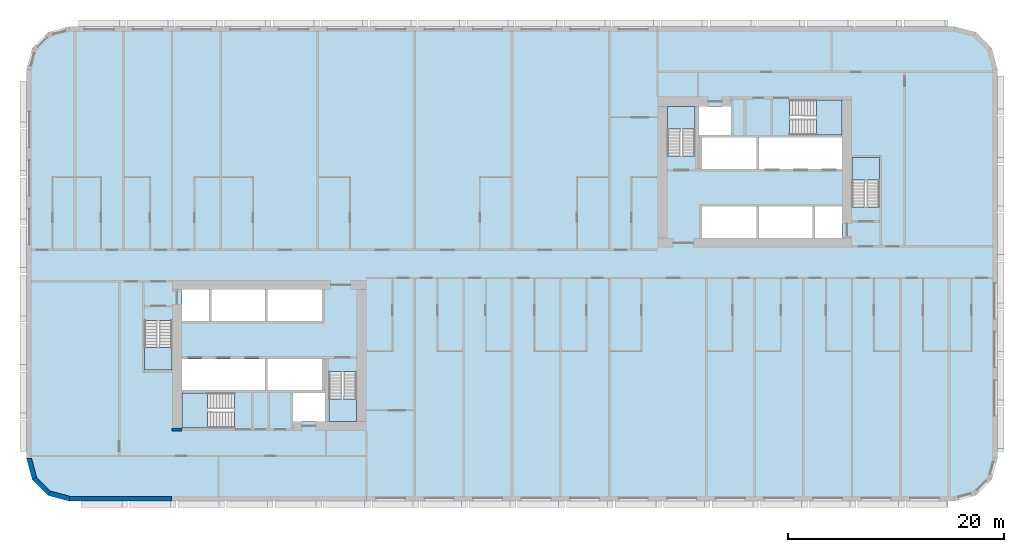
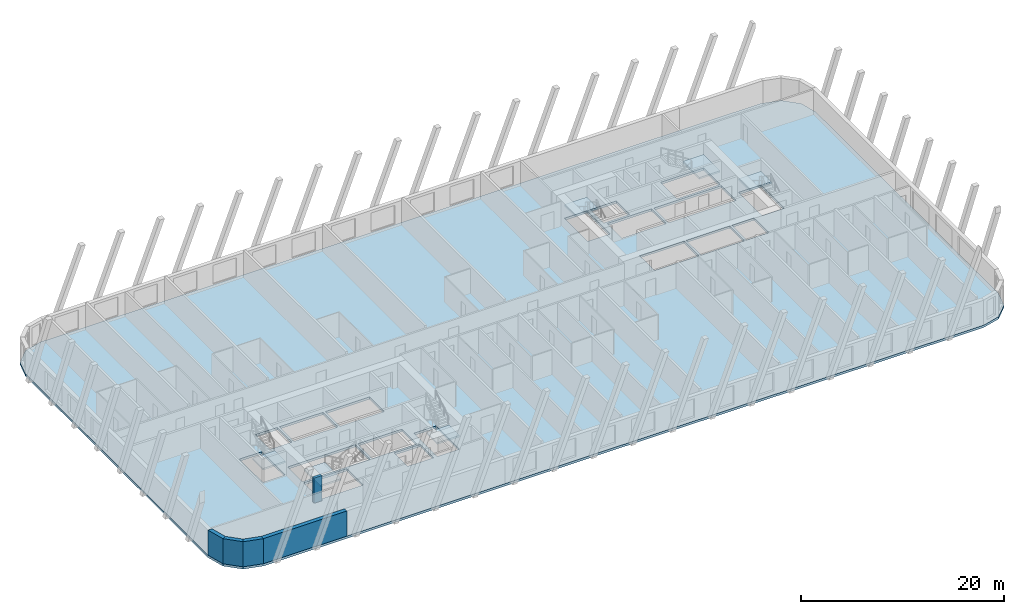
# One storey, part 1 of 13: 7 slabs, 5 walls, 6 elements without a shape of their own.
"""IFC4 building model written with IfcOpenShell, lengths in metres."""

from ifc_helpers import new_model, si_unit, direction, frame, frame_2d, origin, place, context, subcontext, project, spatial, polyline, rectangle, outline, extrude, material, layer, layer_set, type_object, element, aggregate, save


model = new_model("IFC4")

# Units and contexts
model_context = context("Model", 3, precision=1e-05, world=origin(), true_north=direction((0.0, 1.0)))
body_context = subcontext(model_context, "Body", "Model", "MODEL_VIEW")
ifc_project = project(units=[si_unit("LENGTHUNIT", "METRE"), si_unit("AREAUNIT", "SQUARE_METRE"), si_unit("VOLUMEUNIT", "CUBIC_METRE"), si_unit("PLANEANGLEUNIT", "RADIAN"), si_unit("MASSUNIT", "GRAM", prefix="KILO")], contexts=[model_context])

# Site, building, storey
site_placement = place(None, origin())
site = spatial("IfcSite", under=ifc_project, at=site_placement, CompositionType="ELEMENT")
building_placement = place(site_placement, origin())
building = spatial("IfcBuilding", under=site, at=building_placement, Name="Kajstack Hotel Tower", CompositionType="ELEMENT")
storey_placement = place(building_placement, frame((0.0, 0.0, 89.699951171875)))
storey = spatial("IfcBuildingStorey", under=building, at=storey_placement, Name="L18", CompositionType="ELEMENT", Elevation=89.699951171875)

# Slab
ifc_material_1 = material(Name="Concrete C40/50", Category="concrete")
ifc_layer_1 = layer(ifc_material_1, 0.280029296875)
ifc_layer_set_1 = layer_set([ifc_layer_1], Name="RC slab 280 C40/50 guest")
slab_type_1 = type_object("IfcSlabType", Name="RC slab 280 C40/50 guest", PredefinedType="FLOOR", material=ifc_layer_set_1)
slab_1_placement = place(storey_placement, frame((0.0, 0.0, -0.280029296875)))
element("IfcSlab", 1, at=slab_1_placement, inside=storey, type_object=slab_type_1, Name="S-slab-L18", PredefinedType="FLOOR", context=body_context, shape_type="SweptSolid", body=[
    extrude(outline(polyline([(-45.0, -18.0), (-44.464111328125, -20.0), (-43.0, -21.464111328125), (-41.0, -22.0), (41.0, -22.0), (43.0, -21.464111328125), (44.464111328125, -20.0), (45.0, -18.0), (45.0, 18.0), (44.464111328125, 20.0), (43.0, 21.464111328125), (41.0, 22.0), (-41.0, 22.0), (-43.0, 21.464111328125), (-44.464111328125, 20.0), (-45.0, 18.0), (-45.0, -18.0)]), holes=[polyline([(-30.60009765625, -11.699951171875), (-30.60009765625, -8.800048828125), (-22.89990234375, -8.800048828125), (-22.89990234375, -11.699951171875), (-30.60009765625, -11.699951171875)]), polyline([(-22.64990234375, -11.699951171875), (-22.64990234375, -8.800048828125), (-17.60009765625, -8.800048828125), (-17.60009765625, -11.699951171875), (-22.64990234375, -11.699951171875)]), polyline([(-27.85009765625, -5.300048828125), (-27.85009765625, -2.39990234375), (-22.89990234375, -2.39990234375), (-22.89990234375, -5.300048828125), (-27.85009765625, -5.300048828125)]), polyline([(-22.64990234375, -5.300048828125), (-22.64990234375, -2.39990234375), (-17.60009765625, -2.39990234375), (-17.60009765625, -5.300048828125), (-22.64990234375, -5.300048828125)]), polyline([(-20.300048828125, -14.60009765625), (-17.35009765625, -14.60009765625), (-17.35009765625, -11.949951171875), (-20.300048828125, -11.949951171875), (-20.300048828125, -14.60009765625)]), polyline([(-30.60009765625, -5.300048828125), (-28.10009765625, -5.300048828125), (-28.10009765625, -2.39990234375), (-30.60009765625, -2.39990234375), (-30.60009765625, -5.300048828125)]), polyline([(22.89990234375, 8.800048828125), (22.89990234375, 11.699951171875), (30.60009765625, 11.699951171875), (30.60009765625, 8.800048828125), (22.89990234375, 8.800048828125)]), polyline([(17.60009765625, 8.800048828125), (17.60009765625, 11.699951171875), (22.64990234375, 11.699951171875), (22.64990234375, 8.800048828125), (17.60009765625, 8.800048828125)]), polyline([(22.89990234375, 2.39990234375), (22.89990234375, 5.300048828125), (27.85009765625, 5.300048828125), (27.85009765625, 2.39990234375), (22.89990234375, 2.39990234375)]), polyline([(17.60009765625, 2.39990234375), (17.60009765625, 5.300048828125), (22.64990234375, 5.300048828125), (22.64990234375, 2.39990234375), (17.60009765625, 2.39990234375)]), polyline([(20.300048828125, 14.60009765625), (17.35009765625, 14.60009765625), (17.35009765625, 11.949951171875), (20.300048828125, 11.949951171875), (20.300048828125, 14.60009765625)]), polyline([(30.60009765625, 5.300048828125), (28.10009765625, 5.300048828125), (28.10009765625, 2.39990234375), (30.60009765625, 2.39990234375), (30.60009765625, 5.300048828125)]), polyline([(-34.050048828125, -9.85009765625), (-31.5, -9.85009765625), (-31.5, -5.25), (-34.050048828125, -5.25), (-34.050048828125, -9.85009765625)]), polyline([(-16.949951171875, -14.60009765625), (-14.39990234375, -14.60009765625), (-14.39990234375, -10.0), (-16.949951171875, -10.0), (-16.949951171875, -14.60009765625)]), polyline([(-30.60009765625, -15.199951171875), (-25.699951171875, -15.199951171875), (-25.699951171875, -11.949951171875), (-30.60009765625, -11.949951171875), (-30.60009765625, -15.199951171875)]), polyline([(34.050048828125, 9.85009765625), (31.5, 9.85009765625), (31.5, 5.25), (34.050048828125, 5.25), (34.050048828125, 9.85009765625)]), polyline([(16.949951171875, 14.60009765625), (14.39990234375, 14.60009765625), (14.39990234375, 10.0), (16.949951171875, 10.0), (16.949951171875, 14.60009765625)]), polyline([(30.60009765625, 15.199951171875), (25.699951171875, 15.199951171875), (25.699951171875, 11.949951171875), (30.60009765625, 11.949951171875), (30.60009765625, 15.199951171875)])]), origin(), (0.0, 0.0, 1.0), 0.280029296875),
])

# Stair, slab
stair_type_1 = type_object("IfcStairType", Name="Exit stair 1200", PredefinedType="HALF_TURN_STAIR", material=ifc_material_1)
stair_1_placement = place(storey_placement, origin())
stair_1 = element("IfcStair", 2, at=stair_1_placement, inside=storey, type_object=stair_type_1, Name="L18 stair W1", PredefinedType="HALF_TURN_STAIR")
ifc_layer_2 = layer(ifc_material_1, 0.199951171875)
ifc_layer_set_2 = layer_set([ifc_layer_2], Name="Stair landing 200")
slab_type_2 = type_object("IfcSlabType", Name="Stair landing 200", PredefinedType="LANDING", material=ifc_layer_set_2)
slab_2_placement = place(storey_placement, frame((0.0, 0.0, 1.449951171875)))
slab_2 = element("IfcSlab", 3, at=slab_2_placement, type_object=slab_type_2, Name="W1 landing 1", PredefinedType="LANDING", context=body_context, shape_type="SweptSolid", body=[
    extrude(outline(polyline([(-34.050048828125, -7.77001953125), (-34.050048828125, -9.85009765625), (-31.5, -9.85009765625), (-31.5, -7.77001953125), (-34.050048828125, -7.77001953125)])), origin(), (0.0, 0.0, 1.0), 0.2001953125),
])
aggregate(stair_1, [slab_2])

stair_2_placement = place(storey_placement, origin())
stair_2 = element("IfcStair", 4, at=stair_2_placement, inside=storey, type_object=stair_type_1, Name="L18 stair W2", PredefinedType="HALF_TURN_STAIR")
slab_3_placement = place(storey_placement, frame((0.0, 0.0, 1.449951171875)))
slab_3 = element("IfcSlab", 5, at=slab_3_placement, type_object=slab_type_2, Name="W2 landing 1", PredefinedType="LANDING", context=body_context, shape_type="SweptSolid", body=[
    extrude(outline(polyline([(-16.949951171875, -12.52001953125), (-16.949951171875, -14.60009765625), (-14.39990234375, -14.60009765625), (-14.39990234375, -12.52001953125), (-16.949951171875, -12.52001953125)])), origin(), (0.0, 0.0, 1.0), 0.2001953125),
])
aggregate(stair_2, [slab_3])

stair_type_2 = type_object("IfcStairType", Name="Exit stair 1500", PredefinedType="HALF_TURN_STAIR", material=ifc_material_1)
stair_3_placement = place(storey_placement, origin())
stair_3 = element("IfcStair", 6, at=stair_3_placement, inside=storey, type_object=stair_type_2, Name="L18 stair W3", PredefinedType="HALF_TURN_STAIR")
slab_4_placement = place(storey_placement, frame((0.0, 0.0, 1.449951171875)))
slab_4 = element("IfcSlab", 7, at=slab_4_placement, type_object=slab_type_2, Name="W3 landing 1", PredefinedType="LANDING", context=body_context, shape_type="SweptSolid", body=[
    extrude(outline(polyline([(-28.219970703125, -11.949951171875), (-30.60009765625, -11.949951171875), (-30.60009765625, -15.199951171875), (-28.219970703125, -15.199951171875), (-28.219970703125, -11.949951171875)])), origin(), (0.0, 0.0, 1.0), 0.2001953125),
])
aggregate(stair_3, [slab_4])

stair_4_placement = place(storey_placement, origin())
stair_4 = element("IfcStair", 8, at=stair_4_placement, inside=storey, type_object=stair_type_1, Name="L18 stair E1", PredefinedType="HALF_TURN_STAIR")
slab_5_placement = place(storey_placement, frame((0.0, 0.0, 1.449951171875)))
slab_5 = element("IfcSlab", 9, at=slab_5_placement, type_object=slab_type_2, Name="E1 landing 1", PredefinedType="LANDING", context=body_context, shape_type="SweptSolid", body=[
    extrude(outline(polyline([(34.050048828125, 7.77001953125), (34.050048828125, 9.85009765625), (31.5, 9.85009765625), (31.5, 7.77001953125), (34.050048828125, 7.77001953125)])), origin(), (0.0, 0.0, 1.0), 0.2001953125),
])
aggregate(stair_4, [slab_5])

stair_5_placement = place(storey_placement, origin())
stair_5 = element("IfcStair", 10, at=stair_5_placement, inside=storey, type_object=stair_type_1, Name="L18 stair E2", PredefinedType="HALF_TURN_STAIR")
slab_6_placement = place(storey_placement, frame((0.0, 0.0, 1.449951171875)))
slab_6 = element("IfcSlab", 11, at=slab_6_placement, type_object=slab_type_2, Name="E2 landing 1", PredefinedType="LANDING", context=body_context, shape_type="SweptSolid", body=[
    extrude(outline(polyline([(16.949951171875, 12.52001953125), (16.949951171875, 14.60009765625), (14.39990234375, 14.60009765625), (14.39990234375, 12.52001953125), (16.949951171875, 12.52001953125)])), origin(), (0.0, 0.0, 1.0), 0.2001953125),
])
aggregate(stair_5, [slab_6])

stair_6_placement = place(storey_placement, origin())
stair_6 = element("IfcStair", 12, at=stair_6_placement, inside=storey, type_object=stair_type_2, Name="L18 stair E3", PredefinedType="HALF_TURN_STAIR")
slab_7_placement = place(storey_placement, frame((0.0, 0.0, 1.449951171875)))
slab_7 = element("IfcSlab", 13, at=slab_7_placement, type_object=slab_type_2, Name="E3 landing 1", PredefinedType="LANDING", context=body_context, shape_type="SweptSolid", body=[
    extrude(outline(polyline([(28.219970703125, 11.949951171875), (30.60009765625, 11.949951171875), (30.60009765625, 15.199951171875), (28.219970703125, 15.199951171875), (28.219970703125, 11.949951171875)])), origin(), (0.0, 0.0, 1.0), 0.2001953125),
])
aggregate(stair_6, [slab_7])

# Walls
ifc_material_2 = material(Name="Concrete C60/75", Category="concrete")
ifc_layer_3 = layer(ifc_material_2, 0.89990234375)
ifc_layer_set_3 = layer_set([ifc_layer_3], Name="Core wall 900")
wall_type_1 = type_object("IfcWallType", Name="Core wall 900", PredefinedType="SHEAR", material=ifc_layer_set_3)
wall_1_placement = place(storey_placement, frame((-31.5, -15.35009765625, 0.0), z_axis=(0.0, 0.0, 1.0), x_axis=(1.0, 0.0, 0.0)))
element("IfcWall", 14, at=wall_1_placement, inside=storey, type_object=wall_type_1, Name="Core wall W RSW", PredefinedType="SHEAR", context=body_context, shape_type="SweptSolid", body=[
    extrude(rectangle(XDim=0.89990234375, YDim=0.300048828125, at=frame_2d((0.449951171875, 0.0))), origin(), (0.0, 0.0, 1.0), 3.02001953125),
])
ifc_material_3 = material(Name="Terracotta-faced brick masonry", Category="masonry")
ifc_layer_4 = layer(ifc_material_3, 0.449951171875)
ifc_layer_set_4 = layer_set([ifc_layer_4], Name="EW-TERRA")
wall_type_2 = type_object("IfcWallType", Name="EW-TERRA", PredefinedType="SOLIDWALL", material=ifc_layer_set_4)
wall_2_placement = place(storey_placement, frame((-44.78271484375, -17.941650390625, 0.0), z_axis=(0.0, 0.0, 1.0), x_axis=(0.25881466832, -0.965926999034, 0.0)))
element("IfcWall", 15, at=wall_2_placement, inside=storey, type_object=wall_type_2, Name="E-wall-L18-00-00", PredefinedType="SOLIDWALL", context=body_context, shape_type="SweptSolid", body=[
    extrude(outline(polyline([(0.000244140625, -0.22509765625), (2.070556640625, -0.224853515625), (1.9501953125, 0.22509765625), (0.12060546875, 0.22509765625), (0.000244140625, -0.22509765625)])), origin(), (0.0, 0.0, 1.0), 3.02001953125),
])
wall_3_placement = place(storey_placement, frame((-44.304931640625, -19.8408203125, 0.0), z_axis=(0.0, 0.0, 1.0), x_axis=(0.707106781187, -0.707106781187, 0.0)))
element("IfcWall", 16, at=wall_3_placement, inside=storey, type_object=wall_type_2, Name="E-wall-L18-01-00", PredefinedType="SOLIDWALL", context=body_context, shape_type="SweptSolid", body=[
    extrude(outline(polyline([(0.0, -0.22509765625), (2.070556640625, -0.22509765625), (1.949951171875, 0.224853515625), (0.12060546875, 0.224853515625), (0.0, -0.22509765625)])), origin(), (0.0, 0.0, 1.0), 3.02001953125),
])
wall_4_placement = place(storey_placement, frame((-42.941650390625, -21.246826171875, 0.0), z_axis=(0.0, 0.0, 1.0), x_axis=(0.965926999034, -0.25881466832, 0.0)))
element("IfcWall", 17, at=wall_4_placement, inside=storey, type_object=wall_type_2, Name="E-wall-L18-02-00", PredefinedType="SOLIDWALL", context=body_context, shape_type="SweptSolid", body=[
    extrude(outline(polyline([(-0.000244140625, -0.224853515625), (2.0703125, -0.22509765625), (1.949951171875, 0.22509765625), (0.120361328125, 0.22509765625), (-0.000244140625, -0.224853515625)])), origin(), (0.0, 0.0, 1.0), 3.02001953125),
])
wall_5_placement = place(storey_placement, frame((-41.0, -21.77490234375, 0.0), z_axis=(0.0, 0.0, 1.0), x_axis=(1.0, 0.0, 0.0)))
element("IfcWall", 18, at=wall_5_placement, inside=storey, type_object=wall_type_2, Name="E-wall-L18-03-00", PredefinedType="SOLIDWALL", context=body_context, shape_type="SweptSolid", body=[
    extrude(rectangle(XDim=9.5, YDim=0.449951171875, at=frame_2d((4.75, 0.0))), origin(), (0.0, 0.0, 1.0), 3.02001953125),
])

save(model, "model.ifc")
